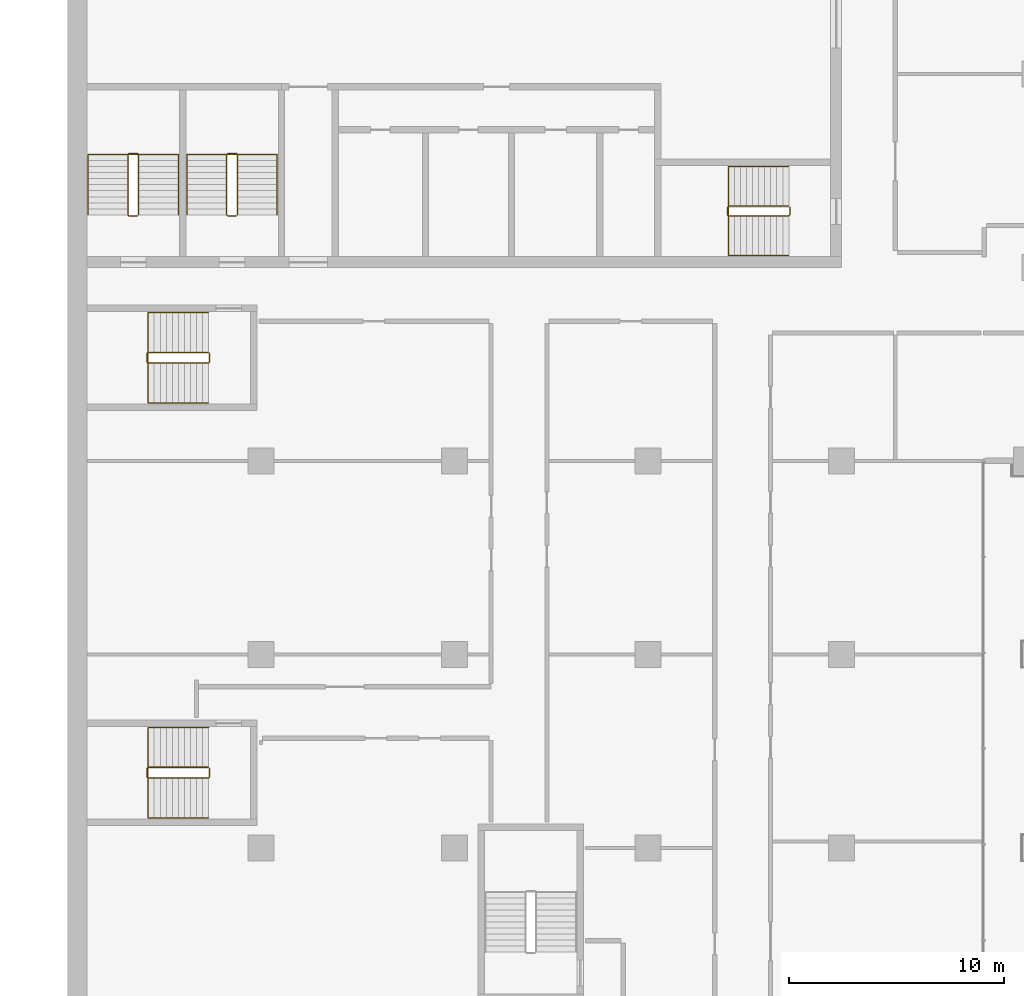
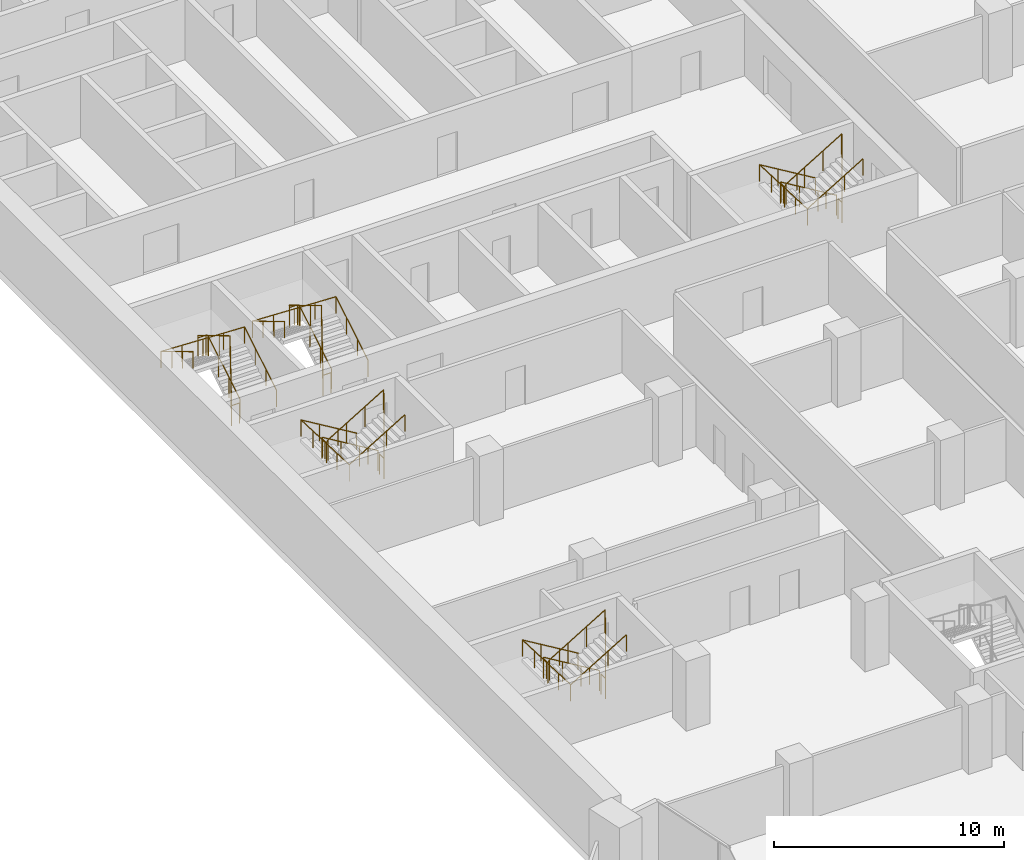
# One storey, part 21 of 23: 10 railings.
"""IFC4 building model written with IfcOpenShell, lengths in metres."""

from ifc_helpers import new_model, si_unit, direction, frame, origin, origin_2d, place, context, subcontext, project, spatial, circle, extrude, material, type_object, element, save


model = new_model("IFC4")

# Units and contexts
model_context = context("Model", 3, precision=1e-05, world=origin(), true_north=direction((0.0, 1.0)))
body_context = subcontext(model_context, "Body", "Model", "MODEL_VIEW")
ifc_project = project(units=[si_unit("LENGTHUNIT", "METRE"), si_unit("AREAUNIT", "SQUARE_METRE"), si_unit("VOLUMEUNIT", "CUBIC_METRE"), si_unit("PLANEANGLEUNIT", "RADIAN"), si_unit("MASSUNIT", "GRAM", prefix="KILO")], contexts=[model_context])

# Site, building, storey
site_placement = place(None, origin())
site = spatial("IfcSite", under=ifc_project, at=site_placement, CompositionType="ELEMENT")
building_placement = place(site_placement, origin())
building = spatial("IfcBuilding", under=site, at=building_placement, Name="Hunhe Ridgeline Campus", CompositionType="ELEMENT")
storey_placement = place(building_placement, frame((0.0, 0.0, 144.89990234375)))
storey = spatial("IfcBuildingStorey", under=building, at=storey_placement, Name="L36", CompositionType="ELEMENT", Elevation=144.89990234375)

# Railings
ifc_material_1 = material(Name="Stainless steel balustrade", Category="steel")
railing_type_1 = type_object("IfcRailingType", Name="Stair guard 1100 stainless", PredefinedType="GUARDRAIL", material=ifc_material_1)
railing_1_placement = place(storey_placement, frame((33.550048828125, 65.85009765625, 0.168212890625)))
element("IfcRailing", 1, at=railing_1_placement, inside=storey, type_object=railing_type_1, Name="L36 stair S2 guard", PredefinedType="GUARDRAIL", context=body_context, shape_type="SweptSolid", body=[
    extrude(circle(Radius=0.02392578125, at=origin_2d()), frame((0.0, 0.0, 1.076171875), z_axis=(-0.857242210791, 0.0, 0.514913383045), x_axis=(0.0, -1.0, 0.0)), (0.0, 0.0, 1.0), 3.266357421875),
    extrude(circle(Radius=0.02392578125, at=origin_2d()), frame((-2.800048828125, 0.0, 2.7578125), z_axis=(-0.707106781187, -0.707106781187, 0.0), x_axis=(0.707106781187, -0.707106781187, 0.0)), (0.0, 0.0, 1.0), 0.07080078125),
    extrude(circle(Radius=0.02392578125, at=origin_2d()), frame((-2.85009765625, -0.050048828125, 2.7578125), z_axis=(0.0, -1.0, 0.0), x_axis=(1.0, 0.0, 0.0)), (0.0, 0.0, 1.0), 0.35009765625),
    extrude(circle(Radius=0.02392578125, at=origin_2d()), frame((-2.85009765625, -0.400146484375, 2.7578125), z_axis=(0.274243871929, -0.274243871929, 0.92172696468), x_axis=(0.707106781187, 0.707106781187, 0.0)), (0.0, 0.0, 1.0), 0.1826171875),
    extrude(circle(Radius=0.02392578125, at=origin_2d()), frame((-2.800048828125, -0.4501953125, 2.92626953125), z_axis=(0.857242210791, 0.0, 0.514913383045), x_axis=(0.0, 1.0, 0.0)), (0.0, 0.0, 1.0), 3.266357421875),
    extrude(circle(Radius=0.02392578125, at=origin_2d()), frame((0.0, -0.4501953125, 4.60791015625), z_axis=(0.013523522368, 0.013523522368, -0.999817097616), x_axis=(-0.707106781187, 0.707106781187, 0.0)), (0.0, 0.0, 1.0), 3.700927734375),
    extrude(circle(Radius=0.02392578125, at=origin_2d()), frame((0.050048828125, -0.400146484375, 0.90771484375), z_axis=(0.0, 1.0, 0.0), x_axis=(-1.0, 0.0, 0.0)), (0.0, 0.0, 1.0), 0.35009765625),
    extrude(circle(Radius=0.02099609375, at=origin_2d()), origin(), (0.0, 0.0, 1.0), 1.052001953125),
    extrude(circle(Radius=0.02099609375, at=origin_2d()), frame((-0.933349609375, 0.0, 0.560546875)), (0.0, 0.0, 1.0), 1.052001953125),
    extrude(circle(Radius=0.02099609375, at=origin_2d()), frame((-1.86669921875, 0.0, 1.121337890625)), (0.0, 0.0, 1.0), 1.052001953125),
    extrude(circle(Radius=0.02099609375, at=origin_2d()), frame((-2.800048828125, 0.0, 1.681884765625)), (0.0, 0.0, 1.0), 1.052001953125),
    extrude(circle(Radius=0.02099609375, at=origin_2d()), frame((-2.85009765625, -0.050048828125, 1.681884765625)), (0.0, 0.0, 1.0), 1.052001953125),
    extrude(circle(Radius=0.02099609375, at=origin_2d()), frame((-2.85009765625, -0.400146484375, 1.681884765625)), (0.0, 0.0, 1.0), 1.052001953125),
    extrude(circle(Radius=0.02099609375, at=origin_2d()), frame((-2.800048828125, -0.4501953125, 1.85009765625)), (0.0, 0.0, 1.0), 1.052001953125),
    extrude(circle(Radius=0.02099609375, at=origin_2d()), frame((-1.86669921875, -0.4501953125, 2.41064453125)), (0.0, 0.0, 1.0), 1.052001953125),
    extrude(circle(Radius=0.02099609375, at=origin_2d()), frame((-0.933349609375, -0.4501953125, 2.971435546875)), (0.0, 0.0, 1.0), 1.052001953125),
    extrude(circle(Radius=0.02099609375, at=origin_2d()), frame((0.0, -0.4501953125, 3.531982421875)), (0.0, 0.0, 1.0), 1.052001953125),
    extrude(circle(Radius=0.02099609375, at=origin_2d()), frame((0.012451171875, -0.437744140625, 2.60693359375)), (0.0, 0.0, 1.0), 1.052001953125),
    extrude(circle(Radius=0.02099609375, at=origin_2d()), frame((0.02490234375, -0.42529296875, 1.681884765625)), (0.0, 0.0, 1.0), 1.052001953125),
    extrude(circle(Radius=0.02099609375, at=origin_2d()), frame((0.03759765625, -0.41259765625, 0.7568359375)), (0.0, 0.0, 1.0), 1.052001953125),
    extrude(circle(Radius=0.02099609375, at=origin_2d()), frame((0.050048828125, -0.400146484375, -0.168212890625)), (0.0, 0.0, 1.0), 1.052001953125),
    extrude(circle(Radius=0.02099609375, at=origin_2d()), frame((0.050048828125, -0.050048828125, -0.168212890625)), (0.0, 0.0, 1.0), 1.052001953125),
])
railing_2_placement = place(storey_placement, frame((3.300048828125, 65.449951171875, 0.168212890625)))
element("IfcRailing", 2, at=railing_2_placement, inside=storey, type_object=railing_type_1, Name="L36 stair S3 guard", PredefinedType="GUARDRAIL", context=body_context, shape_type="SweptSolid", body=[
    extrude(circle(Radius=0.02392578125, at=origin_2d()), frame((0.0, 0.0, 1.076171875), z_axis=(0.0, 0.857242210791, 0.514913383045), x_axis=(-1.0, 0.0, 0.0)), (0.0, 0.0, 1.0), 3.266357421875),
    extrude(circle(Radius=0.02392578125, at=origin_2d()), frame((0.0, 2.800048828125, 2.7578125), z_axis=(-0.707106781187, 0.707106781187, 0.0), x_axis=(-0.707106781187, -0.707106781187, 0.0)), (0.0, 0.0, 1.0), 0.07080078125),
    extrude(circle(Radius=0.02392578125, at=origin_2d()), frame((-0.050048828125, 2.85009765625, 2.7578125), z_axis=(-1.0, 0.0, 0.0), x_axis=(0.0, -1.0, 0.0)), (0.0, 0.0, 1.0), 0.39990234375),
    extrude(circle(Radius=0.02392578125, at=origin_2d()), frame((-0.449951171875, 2.85009765625, 2.7578125), z_axis=(-0.274243871929, -0.274243871929, 0.92172696468), x_axis=(0.707106781187, -0.707106781187, 0.0)), (0.0, 0.0, 1.0), 0.1826171875),
    extrude(circle(Radius=0.02392578125, at=origin_2d()), frame((-0.5, 2.800048828125, 2.92626953125), z_axis=(0.0, -0.857242210791, 0.514913383045), x_axis=(1.0, 0.0, 0.0)), (0.0, 0.0, 1.0), 3.266357421875),
    extrude(circle(Radius=0.02392578125, at=origin_2d()), frame((-0.5, 0.0, 4.60791015625), z_axis=(0.013523522368, -0.013523522368, -0.999817097616), x_axis=(0.707106781187, 0.707106781187, 0.0)), (0.0, 0.0, 1.0), 3.700927734375),
    extrude(circle(Radius=0.02392578125, at=origin_2d()), frame((-0.449951171875, -0.050048828125, 0.90771484375), z_axis=(1.0, 0.0, 0.0), x_axis=(0.0, 1.0, 0.0)), (0.0, 0.0, 1.0), 0.39990234375),
    extrude(circle(Radius=0.02099609375, at=origin_2d()), origin(), (0.0, 0.0, 1.0), 1.052001953125),
    extrude(circle(Radius=0.02099609375, at=origin_2d()), frame((0.0, 0.933349609375, 0.560546875)), (0.0, 0.0, 1.0), 1.052001953125),
    extrude(circle(Radius=0.02099609375, at=origin_2d()), frame((0.0, 1.86669921875, 1.121337890625)), (0.0, 0.0, 1.0), 1.052001953125),
    extrude(circle(Radius=0.02099609375, at=origin_2d()), frame((0.0, 2.800048828125, 1.681884765625)), (0.0, 0.0, 1.0), 1.052001953125),
    extrude(circle(Radius=0.02099609375, at=origin_2d()), frame((-0.050048828125, 2.85009765625, 1.681884765625)), (0.0, 0.0, 1.0), 1.052001953125),
    extrude(circle(Radius=0.02099609375, at=origin_2d()), frame((-0.449951171875, 2.85009765625, 1.681884765625)), (0.0, 0.0, 1.0), 1.052001953125),
    extrude(circle(Radius=0.02099609375, at=origin_2d()), frame((-0.5, 2.800048828125, 1.85009765625)), (0.0, 0.0, 1.0), 1.052001953125),
    extrude(circle(Radius=0.02099609375, at=origin_2d()), frame((-0.5, 1.86669921875, 2.41064453125)), (0.0, 0.0, 1.0), 1.052001953125),
    extrude(circle(Radius=0.02099609375, at=origin_2d()), frame((-0.5, 0.933349609375, 2.971435546875)), (0.0, 0.0, 1.0), 1.052001953125),
    extrude(circle(Radius=0.02099609375, at=origin_2d()), frame((-0.5, 0.0, 3.531982421875)), (0.0, 0.0, 1.0), 1.052001953125),
    extrude(circle(Radius=0.02099609375, at=origin_2d()), frame((-0.487548828125, -0.012451171875, 2.60693359375)), (0.0, 0.0, 1.0), 1.052001953125),
    extrude(circle(Radius=0.02099609375, at=origin_2d()), frame((-0.47509765625, -0.02490234375, 1.681884765625)), (0.0, 0.0, 1.0), 1.052001953125),
    extrude(circle(Radius=0.02099609375, at=origin_2d()), frame((-0.46240234375, -0.03759765625, 0.7568359375)), (0.0, 0.0, 1.0), 1.052001953125),
    extrude(circle(Radius=0.02099609375, at=origin_2d()), frame((-0.449951171875, -0.050048828125, -0.168212890625)), (0.0, 0.0, 1.0), 1.052001953125),
    extrude(circle(Radius=0.02099609375, at=origin_2d()), frame((-0.050048828125, -0.050048828125, -0.168212890625)), (0.0, 0.0, 1.0), 1.052001953125),
])
railing_3_placement = place(storey_placement, frame((7.89990234375, 65.449951171875, 0.168212890625)))
element("IfcRailing", 3, at=railing_3_placement, inside=storey, type_object=railing_type_1, Name="L36 stair S4 guard", PredefinedType="GUARDRAIL", context=body_context, shape_type="SweptSolid", body=[
    extrude(circle(Radius=0.02392578125, at=origin_2d()), frame((0.0, 0.0, 1.076171875), z_axis=(0.0, 0.857242210791, 0.514913383045), x_axis=(-1.0, 0.0, 0.0)), (0.0, 0.0, 1.0), 3.266357421875),
    extrude(circle(Radius=0.02392578125, at=origin_2d()), frame((0.0, 2.800048828125, 2.7578125), z_axis=(-0.705375805398, 0.708833529934, 0.0), x_axis=(-0.708833529934, -0.705375805398, 0.0)), (0.0, 0.0, 1.0), 0.070556640625),
    extrude(circle(Radius=0.02392578125, at=origin_2d()), frame((-0.0498046875, 2.85009765625, 2.7578125), z_axis=(-1.0, 0.0, 0.0), x_axis=(0.0, -1.0, 0.0)), (0.0, 0.0, 1.0), 0.400146484375),
    extrude(circle(Radius=0.02392578125, at=origin_2d()), frame((-0.449951171875, 2.85009765625, 2.7578125), z_axis=(-0.274243871929, -0.274243871929, 0.92172696468), x_axis=(0.707106781187, -0.707106781187, 0.0)), (0.0, 0.0, 1.0), 0.1826171875),
    extrude(circle(Radius=0.02392578125, at=origin_2d()), frame((-0.5, 2.800048828125, 2.92626953125), z_axis=(0.0, -0.857242210791, 0.514913383045), x_axis=(1.0, 0.0, 0.0)), (0.0, 0.0, 1.0), 3.266357421875),
    extrude(circle(Radius=0.02392578125, at=origin_2d()), frame((-0.5, 0.0, 4.60791015625), z_axis=(0.013523522368, -0.013523522368, -0.999817097616), x_axis=(0.707106781187, 0.707106781187, 0.0)), (0.0, 0.0, 1.0), 3.700927734375),
    extrude(circle(Radius=0.02392578125, at=origin_2d()), frame((-0.449951171875, -0.050048828125, 0.90771484375), z_axis=(1.0, 0.0, 0.0), x_axis=(0.0, 1.0, 0.0)), (0.0, 0.0, 1.0), 0.400146484375),
    extrude(circle(Radius=0.02099609375, at=origin_2d()), origin(), (0.0, 0.0, 1.0), 1.052001953125),
    extrude(circle(Radius=0.02099609375, at=origin_2d()), frame((0.0, 0.933349609375, 0.560546875)), (0.0, 0.0, 1.0), 1.052001953125),
    extrude(circle(Radius=0.02099609375, at=origin_2d()), frame((0.0, 1.86669921875, 1.121337890625)), (0.0, 0.0, 1.0), 1.052001953125),
    extrude(circle(Radius=0.02099609375, at=origin_2d()), frame((0.0, 2.800048828125, 1.681884765625)), (0.0, 0.0, 1.0), 1.052001953125),
    extrude(circle(Radius=0.02099609375, at=origin_2d()), frame((-0.0498046875, 2.85009765625, 1.681884765625)), (0.0, 0.0, 1.0), 1.052001953125),
    extrude(circle(Radius=0.02099609375, at=origin_2d()), frame((-0.449951171875, 2.85009765625, 1.681884765625)), (0.0, 0.0, 1.0), 1.052001953125),
    extrude(circle(Radius=0.02099609375, at=origin_2d()), frame((-0.5, 2.800048828125, 1.85009765625)), (0.0, 0.0, 1.0), 1.052001953125),
    extrude(circle(Radius=0.02099609375, at=origin_2d()), frame((-0.5, 1.86669921875, 2.41064453125)), (0.0, 0.0, 1.0), 1.052001953125),
    extrude(circle(Radius=0.02099609375, at=origin_2d()), frame((-0.5, 0.933349609375, 2.971435546875)), (0.0, 0.0, 1.0), 1.052001953125),
    extrude(circle(Radius=0.02099609375, at=origin_2d()), frame((-0.5, 0.0, 3.531982421875)), (0.0, 0.0, 1.0), 1.052001953125),
    extrude(circle(Radius=0.02099609375, at=origin_2d()), frame((-0.487548828125, -0.012451171875, 2.60693359375)), (0.0, 0.0, 1.0), 1.052001953125),
    extrude(circle(Radius=0.02099609375, at=origin_2d()), frame((-0.47509765625, -0.02490234375, 1.681884765625)), (0.0, 0.0, 1.0), 1.052001953125),
    extrude(circle(Radius=0.02099609375, at=origin_2d()), frame((-0.46240234375, -0.03759765625, 0.7568359375)), (0.0, 0.0, 1.0), 1.052001953125),
    extrude(circle(Radius=0.02099609375, at=origin_2d()), frame((-0.449951171875, -0.050048828125, -0.168212890625)), (0.0, 0.0, 1.0), 1.052001953125),
    extrude(circle(Radius=0.02099609375, at=origin_2d()), frame((-0.0498046875, -0.050048828125, -0.168212890625)), (0.0, 0.0, 1.0), 1.052001953125),
])
railing_4_placement = place(storey_placement, frame((6.550048828125, 39.75, 0.168212890625)))
element("IfcRailing", 4, at=railing_4_placement, inside=storey, type_object=railing_type_1, Name="L36 stair W1 guard", PredefinedType="GUARDRAIL", context=body_context, shape_type="SweptSolid", body=[
    extrude(circle(Radius=0.02392578125, at=origin_2d()), frame((0.0, 0.0, 1.076171875), z_axis=(-0.857242210791, 0.0, 0.514913383045), x_axis=(0.0, -1.0, 0.0)), (0.0, 0.0, 1.0), 3.266357421875),
    extrude(circle(Radius=0.02392578125, at=origin_2d()), frame((-2.800048828125, 0.0, 2.7578125), z_axis=(-0.707106781187, -0.707106781187, 0.0), x_axis=(0.707106781187, -0.707106781187, 0.0)), (0.0, 0.0, 1.0), 0.07080078125),
    extrude(circle(Radius=0.02392578125, at=origin_2d()), frame((-2.85009765625, -0.050048828125, 2.7578125), z_axis=(0.0, -1.0, 0.0), x_axis=(1.0, 0.0, 0.0)), (0.0, 0.0, 1.0), 0.39990234375),
    extrude(circle(Radius=0.02392578125, at=origin_2d()), frame((-2.85009765625, -0.449951171875, 2.7578125), z_axis=(0.274243871929, -0.274243871929, 0.92172696468), x_axis=(0.707106781187, 0.707106781187, 0.0)), (0.0, 0.0, 1.0), 0.1826171875),
    extrude(circle(Radius=0.02392578125, at=origin_2d()), frame((-2.800048828125, -0.5, 2.92626953125), z_axis=(0.857242210791, 0.0, 0.514913383045), x_axis=(0.0, 1.0, 0.0)), (0.0, 0.0, 1.0), 3.266357421875),
    extrude(circle(Radius=0.02392578125, at=origin_2d()), frame((0.0, -0.5, 4.60791015625), z_axis=(0.013523522368, 0.013523522368, -0.999817097616), x_axis=(-0.707106781187, 0.707106781187, 0.0)), (0.0, 0.0, 1.0), 3.700927734375),
    extrude(circle(Radius=0.02392578125, at=origin_2d()), frame((0.050048828125, -0.449951171875, 0.90771484375), z_axis=(0.0, 1.0, 0.0), x_axis=(-1.0, 0.0, 0.0)), (0.0, 0.0, 1.0), 0.39990234375),
    extrude(circle(Radius=0.02099609375, at=origin_2d()), origin(), (0.0, 0.0, 1.0), 1.052001953125),
    extrude(circle(Radius=0.02099609375, at=origin_2d()), frame((-0.933349609375, 0.0, 0.560546875)), (0.0, 0.0, 1.0), 1.052001953125),
    extrude(circle(Radius=0.02099609375, at=origin_2d()), frame((-1.86669921875, 0.0, 1.121337890625)), (0.0, 0.0, 1.0), 1.052001953125),
    extrude(circle(Radius=0.02099609375, at=origin_2d()), frame((-2.800048828125, 0.0, 1.681884765625)), (0.0, 0.0, 1.0), 1.052001953125),
    extrude(circle(Radius=0.02099609375, at=origin_2d()), frame((-2.85009765625, -0.050048828125, 1.681884765625)), (0.0, 0.0, 1.0), 1.052001953125),
    extrude(circle(Radius=0.02099609375, at=origin_2d()), frame((-2.85009765625, -0.449951171875, 1.681884765625)), (0.0, 0.0, 1.0), 1.052001953125),
    extrude(circle(Radius=0.02099609375, at=origin_2d()), frame((-2.800048828125, -0.5, 1.85009765625)), (0.0, 0.0, 1.0), 1.052001953125),
    extrude(circle(Radius=0.02099609375, at=origin_2d()), frame((-1.86669921875, -0.5, 2.41064453125)), (0.0, 0.0, 1.0), 1.052001953125),
    extrude(circle(Radius=0.02099609375, at=origin_2d()), frame((-0.933349609375, -0.5, 2.971435546875)), (0.0, 0.0, 1.0), 1.052001953125),
    extrude(circle(Radius=0.02099609375, at=origin_2d()), frame((0.0, -0.5, 3.531982421875)), (0.0, 0.0, 1.0), 1.052001953125),
    extrude(circle(Radius=0.02099609375, at=origin_2d()), frame((0.012451171875, -0.487548828125, 2.60693359375)), (0.0, 0.0, 1.0), 1.052001953125),
    extrude(circle(Radius=0.02099609375, at=origin_2d()), frame((0.02490234375, -0.47509765625, 1.681884765625)), (0.0, 0.0, 1.0), 1.052001953125),
    extrude(circle(Radius=0.02099609375, at=origin_2d()), frame((0.03759765625, -0.46240234375, 0.7568359375)), (0.0, 0.0, 1.0), 1.052001953125),
    extrude(circle(Radius=0.02099609375, at=origin_2d()), frame((0.050048828125, -0.449951171875, -0.168212890625)), (0.0, 0.0, 1.0), 1.052001953125),
    extrude(circle(Radius=0.02099609375, at=origin_2d()), frame((0.050048828125, -0.050048828125, -0.168212890625)), (0.0, 0.0, 1.0), 1.052001953125),
])
railing_5_placement = place(storey_placement, frame((6.550048828125, 59.050048828125, 0.168212890625)))
element("IfcRailing", 5, at=railing_5_placement, inside=storey, type_object=railing_type_1, Name="L36 stair W2 guard", PredefinedType="GUARDRAIL", context=body_context, shape_type="SweptSolid", body=[
    extrude(circle(Radius=0.02392578125, at=origin_2d()), frame((0.0, 0.0, 1.076171875), z_axis=(-0.857242210791, 0.0, 0.514913383045), x_axis=(0.0, -1.0, 0.0)), (0.0, 0.0, 1.0), 3.266357421875),
    extrude(circle(Radius=0.02392578125, at=origin_2d()), frame((-2.800048828125, 0.0, 2.7578125), z_axis=(-0.707106781187, -0.707106781187, 0.0), x_axis=(0.707106781187, -0.707106781187, 0.0)), (0.0, 0.0, 1.0), 0.07080078125),
    extrude(circle(Radius=0.02392578125, at=origin_2d()), frame((-2.85009765625, -0.050048828125, 2.7578125), z_axis=(0.0, -1.0, 0.0), x_axis=(1.0, 0.0, 0.0)), (0.0, 0.0, 1.0), 0.39990234375),
    extrude(circle(Radius=0.02392578125, at=origin_2d()), frame((-2.85009765625, -0.449951171875, 2.7578125), z_axis=(0.274243871929, -0.274243871929, 0.92172696468), x_axis=(0.707106781187, 0.707106781187, 0.0)), (0.0, 0.0, 1.0), 0.1826171875),
    extrude(circle(Radius=0.02392578125, at=origin_2d()), frame((-2.800048828125, -0.5, 2.92626953125), z_axis=(0.857242210791, 0.0, 0.514913383045), x_axis=(0.0, 1.0, 0.0)), (0.0, 0.0, 1.0), 3.266357421875),
    extrude(circle(Radius=0.02392578125, at=origin_2d()), frame((0.0, -0.5, 4.60791015625), z_axis=(0.013523522368, 0.013523522368, -0.999817097616), x_axis=(-0.707106781187, 0.707106781187, 0.0)), (0.0, 0.0, 1.0), 3.700927734375),
    extrude(circle(Radius=0.02392578125, at=origin_2d()), frame((0.050048828125, -0.449951171875, 0.90771484375), z_axis=(0.0, 1.0, 0.0), x_axis=(-1.0, 0.0, 0.0)), (0.0, 0.0, 1.0), 0.39990234375),
    extrude(circle(Radius=0.02099609375, at=origin_2d()), origin(), (0.0, 0.0, 1.0), 1.052001953125),
    extrude(circle(Radius=0.02099609375, at=origin_2d()), frame((-0.933349609375, 0.0, 0.560546875)), (0.0, 0.0, 1.0), 1.052001953125),
    extrude(circle(Radius=0.02099609375, at=origin_2d()), frame((-1.86669921875, 0.0, 1.121337890625)), (0.0, 0.0, 1.0), 1.052001953125),
    extrude(circle(Radius=0.02099609375, at=origin_2d()), frame((-2.800048828125, 0.0, 1.681884765625)), (0.0, 0.0, 1.0), 1.052001953125),
    extrude(circle(Radius=0.02099609375, at=origin_2d()), frame((-2.85009765625, -0.050048828125, 1.681884765625)), (0.0, 0.0, 1.0), 1.052001953125),
    extrude(circle(Radius=0.02099609375, at=origin_2d()), frame((-2.85009765625, -0.449951171875, 1.681884765625)), (0.0, 0.0, 1.0), 1.052001953125),
    extrude(circle(Radius=0.02099609375, at=origin_2d()), frame((-2.800048828125, -0.5, 1.85009765625)), (0.0, 0.0, 1.0), 1.052001953125),
    extrude(circle(Radius=0.02099609375, at=origin_2d()), frame((-1.86669921875, -0.5, 2.41064453125)), (0.0, 0.0, 1.0), 1.052001953125),
    extrude(circle(Radius=0.02099609375, at=origin_2d()), frame((-0.933349609375, -0.5, 2.971435546875)), (0.0, 0.0, 1.0), 1.052001953125),
    extrude(circle(Radius=0.02099609375, at=origin_2d()), frame((0.0, -0.5, 3.531982421875)), (0.0, 0.0, 1.0), 1.052001953125),
    extrude(circle(Radius=0.02099609375, at=origin_2d()), frame((0.012451171875, -0.487548828125, 2.60693359375)), (0.0, 0.0, 1.0), 1.052001953125),
    extrude(circle(Radius=0.02099609375, at=origin_2d()), frame((0.02490234375, -0.47509765625, 1.681884765625)), (0.0, 0.0, 1.0), 1.052001953125),
    extrude(circle(Radius=0.02099609375, at=origin_2d()), frame((0.03759765625, -0.46240234375, 0.7568359375)), (0.0, 0.0, 1.0), 1.052001953125),
    extrude(circle(Radius=0.02099609375, at=origin_2d()), frame((0.050048828125, -0.449951171875, -0.168212890625)), (0.0, 0.0, 1.0), 1.052001953125),
    extrude(circle(Radius=0.02099609375, at=origin_2d()), frame((0.050048828125, -0.050048828125, -0.168212890625)), (0.0, 0.0, 1.0), 1.052001953125),
])
ifc_material_2 = material(Name="Stainless steel handrail", Category="steel")
railing_type_2 = type_object("IfcRailingType", Name="Stair handrail 900 stainless", PredefinedType="HANDRAIL", material=ifc_material_2)
railing_6_placement = place(storey_placement, frame((33.550048828125, 67.699951171875, 0.168212890625)))
element("IfcRailing", 6, at=railing_6_placement, inside=storey, type_object=railing_type_2, Name="L36 stair S2 handrail", PredefinedType="HANDRAIL", context=body_context, shape_type="SweptSolid", body=[
    extrude(circle(Radius=0.02392578125, at=origin_2d()), frame((0.0, 0.0, 0.8759765625), z_axis=(-0.857242210791, 0.0, 0.514913383045), x_axis=(0.0, -1.0, 0.0)), (0.0, 0.0, 1.0), 3.266357421875),
    extrude(circle(Radius=0.02392578125, at=origin_2d()), frame((-2.800048828125, 0.0, 2.5576171875), z_axis=(0.0, -0.99917950104, 0.040500922239), x_axis=(1.0, 0.0, 0.0)), (0.0, 0.0, 1.0), 4.1533203125),
    extrude(circle(Radius=0.02392578125, at=origin_2d()), frame((-2.800048828125, -4.14990234375, 2.72607421875), z_axis=(0.857242210791, 0.0, 0.514913383045), x_axis=(0.0, 1.0, 0.0)), (0.0, 0.0, 1.0), 3.266357421875),
    extrude(circle(Radius=0.02099609375, at=origin_2d()), origin(), (0.0, 0.0, 1.0), 0.851806640625),
    extrude(circle(Radius=0.02099609375, at=origin_2d()), frame((-0.933349609375, 0.0, 0.560546875)), (0.0, 0.0, 1.0), 0.851806640625),
    extrude(circle(Radius=0.02099609375, at=origin_2d()), frame((-1.86669921875, 0.0, 1.121337890625)), (0.0, 0.0, 1.0), 0.851806640625),
    extrude(circle(Radius=0.02099609375, at=origin_2d()), frame((-2.800048828125, 0.0, 1.681884765625)), (0.0, 0.0, 1.0), 0.851806640625),
    extrude(circle(Radius=0.02099609375, at=origin_2d()), frame((-2.800048828125, -1.03759765625, 1.723876953125)), (0.0, 0.0, 1.0), 0.851806640625),
    extrude(circle(Radius=0.02099609375, at=origin_2d()), frame((-2.800048828125, -2.074951171875, 1.76611328125)), (0.0, 0.0, 1.0), 0.851806640625),
    extrude(circle(Radius=0.02099609375, at=origin_2d()), frame((-2.800048828125, -3.1123046875, 1.80810546875)), (0.0, 0.0, 1.0), 0.851806640625),
    extrude(circle(Radius=0.02099609375, at=origin_2d()), frame((-2.800048828125, -4.14990234375, 1.85009765625)), (0.0, 0.0, 1.0), 0.851806640625),
    extrude(circle(Radius=0.02099609375, at=origin_2d()), frame((-1.86669921875, -4.14990234375, 2.41064453125)), (0.0, 0.0, 1.0), 0.851806640625),
    extrude(circle(Radius=0.02099609375, at=origin_2d()), frame((-0.933349609375, -4.14990234375, 2.971435546875)), (0.0, 0.0, 1.0), 0.851806640625),
    extrude(circle(Radius=0.02099609375, at=origin_2d()), frame((0.0, -4.14990234375, 3.531982421875)), (0.0, 0.0, 1.0), 0.851806640625),
])
railing_7_placement = place(storey_placement, frame((5.14990234375, 65.449951171875, 0.168212890625)))
element("IfcRailing", 7, at=railing_7_placement, inside=storey, type_object=railing_type_2, Name="L36 stair S3 handrail", PredefinedType="HANDRAIL", context=body_context, shape_type="SweptSolid", body=[
    extrude(circle(Radius=0.02392578125, at=origin_2d()), frame((0.0, 0.0, 0.8759765625), z_axis=(0.0, 0.857242210791, 0.514913383045), x_axis=(-1.0, 0.0, 0.0)), (0.0, 0.0, 1.0), 3.266357421875),
    extrude(circle(Radius=0.02392578125, at=origin_2d()), frame((0.0, 2.800048828125, 2.5576171875), z_axis=(-0.999198916169, 0.0, 0.040019069537), x_axis=(0.0, -1.0, 0.0)), (0.0, 0.0, 1.0), 4.203369140625),
    extrude(circle(Radius=0.02392578125, at=origin_2d()), frame((-4.199951171875, 2.800048828125, 2.72607421875), z_axis=(0.0, -0.857242210791, 0.514913383045), x_axis=(1.0, 0.0, 0.0)), (0.0, 0.0, 1.0), 3.266357421875),
    extrude(circle(Radius=0.02099609375, at=origin_2d()), origin(), (0.0, 0.0, 1.0), 0.851806640625),
    extrude(circle(Radius=0.02099609375, at=origin_2d()), frame((0.0, 0.933349609375, 0.560546875)), (0.0, 0.0, 1.0), 0.851806640625),
    extrude(circle(Radius=0.02099609375, at=origin_2d()), frame((0.0, 1.86669921875, 1.121337890625)), (0.0, 0.0, 1.0), 0.851806640625),
    extrude(circle(Radius=0.02099609375, at=origin_2d()), frame((0.0, 2.800048828125, 1.681884765625)), (0.0, 0.0, 1.0), 0.851806640625),
    extrude(circle(Radius=0.02099609375, at=origin_2d()), frame((-1.050048828125, 2.800048828125, 1.723876953125)), (0.0, 0.0, 1.0), 0.851806640625),
    extrude(circle(Radius=0.02099609375, at=origin_2d()), frame((-2.10009765625, 2.800048828125, 1.76611328125)), (0.0, 0.0, 1.0), 0.851806640625),
    extrude(circle(Radius=0.02099609375, at=origin_2d()), frame((-3.14990234375, 2.800048828125, 1.80810546875)), (0.0, 0.0, 1.0), 0.851806640625),
    extrude(circle(Radius=0.02099609375, at=origin_2d()), frame((-4.199951171875, 2.800048828125, 1.85009765625)), (0.0, 0.0, 1.0), 0.851806640625),
    extrude(circle(Radius=0.02099609375, at=origin_2d()), frame((-4.199951171875, 1.86669921875, 2.41064453125)), (0.0, 0.0, 1.0), 0.851806640625),
    extrude(circle(Radius=0.02099609375, at=origin_2d()), frame((-4.199951171875, 0.933349609375, 2.971435546875)), (0.0, 0.0, 1.0), 0.851806640625),
    extrude(circle(Radius=0.02099609375, at=origin_2d()), frame((-4.199951171875, 0.0, 3.531982421875)), (0.0, 0.0, 1.0), 0.851806640625),
])
railing_8_placement = place(storey_placement, frame((9.75, 65.449951171875, 0.168212890625)))
element("IfcRailing", 8, at=railing_8_placement, inside=storey, type_object=railing_type_2, Name="L36 stair S4 handrail", PredefinedType="HANDRAIL", context=body_context, shape_type="SweptSolid", body=[
    extrude(circle(Radius=0.02392578125, at=origin_2d()), frame((0.0, 0.0, 0.8759765625), z_axis=(0.0, 0.857242210791, 0.514913383045), x_axis=(-1.0, 0.0, 0.0)), (0.0, 0.0, 1.0), 3.266357421875),
    extrude(circle(Radius=0.02392578125, at=origin_2d()), frame((0.0, 2.800048828125, 2.5576171875), z_axis=(-0.999198916169, 0.0, 0.040019069537), x_axis=(0.0, -1.0, 0.0)), (0.0, 0.0, 1.0), 4.203369140625),
    extrude(circle(Radius=0.02392578125, at=origin_2d()), frame((-4.199951171875, 2.800048828125, 2.72607421875), z_axis=(0.0, -0.857242210791, 0.514913383045), x_axis=(1.0, 0.0, 0.0)), (0.0, 0.0, 1.0), 3.266357421875),
    extrude(circle(Radius=0.02099609375, at=origin_2d()), origin(), (0.0, 0.0, 1.0), 0.851806640625),
    extrude(circle(Radius=0.02099609375, at=origin_2d()), frame((0.0, 0.933349609375, 0.560546875)), (0.0, 0.0, 1.0), 0.851806640625),
    extrude(circle(Radius=0.02099609375, at=origin_2d()), frame((0.0, 1.86669921875, 1.121337890625)), (0.0, 0.0, 1.0), 0.851806640625),
    extrude(circle(Radius=0.02099609375, at=origin_2d()), frame((0.0, 2.800048828125, 1.681884765625)), (0.0, 0.0, 1.0), 0.851806640625),
    extrude(circle(Radius=0.02099609375, at=origin_2d()), frame((-1.050048828125, 2.800048828125, 1.723876953125)), (0.0, 0.0, 1.0), 0.851806640625),
    extrude(circle(Radius=0.02099609375, at=origin_2d()), frame((-2.10009765625, 2.800048828125, 1.76611328125)), (0.0, 0.0, 1.0), 0.851806640625),
    extrude(circle(Radius=0.02099609375, at=origin_2d()), frame((-3.14990234375, 2.800048828125, 1.80810546875)), (0.0, 0.0, 1.0), 0.851806640625),
    extrude(circle(Radius=0.02099609375, at=origin_2d()), frame((-4.199951171875, 2.800048828125, 1.85009765625)), (0.0, 0.0, 1.0), 0.851806640625),
    extrude(circle(Radius=0.02099609375, at=origin_2d()), frame((-4.199951171875, 1.86669921875, 2.41064453125)), (0.0, 0.0, 1.0), 0.851806640625),
    extrude(circle(Radius=0.02099609375, at=origin_2d()), frame((-4.199951171875, 0.933349609375, 2.971435546875)), (0.0, 0.0, 1.0), 0.851806640625),
    extrude(circle(Radius=0.02099609375, at=origin_2d()), frame((-4.199951171875, 0.0, 3.531982421875)), (0.0, 0.0, 1.0), 0.851806640625),
])
railing_9_placement = place(storey_placement, frame((6.550048828125, 41.60009765625, 0.168212890625)))
element("IfcRailing", 9, at=railing_9_placement, inside=storey, type_object=railing_type_2, Name="L36 stair W1 handrail", PredefinedType="HANDRAIL", context=body_context, shape_type="SweptSolid", body=[
    extrude(circle(Radius=0.02392578125, at=origin_2d()), frame((0.0, 0.0, 0.8759765625), z_axis=(-0.857242210791, 0.0, 0.514913383045), x_axis=(0.0, -1.0, 0.0)), (0.0, 0.0, 1.0), 3.266357421875),
    extrude(circle(Radius=0.02392578125, at=origin_2d()), frame((-2.800048828125, 0.0, 2.5576171875), z_axis=(0.0, -0.999199009182, 0.040016747113), x_axis=(1.0, 0.0, 0.0)), (0.0, 0.0, 1.0), 4.20361328125),
    extrude(circle(Radius=0.02392578125, at=origin_2d()), frame((-2.800048828125, -4.2001953125, 2.72607421875), z_axis=(0.857242210791, 0.0, 0.514913383045), x_axis=(0.0, 1.0, 0.0)), (0.0, 0.0, 1.0), 3.266357421875),
    extrude(circle(Radius=0.02099609375, at=origin_2d()), origin(), (0.0, 0.0, 1.0), 0.851806640625),
    extrude(circle(Radius=0.02099609375, at=origin_2d()), frame((-0.933349609375, 0.0, 0.560546875)), (0.0, 0.0, 1.0), 0.851806640625),
    extrude(circle(Radius=0.02099609375, at=origin_2d()), frame((-1.86669921875, 0.0, 1.121337890625)), (0.0, 0.0, 1.0), 0.851806640625),
    extrude(circle(Radius=0.02099609375, at=origin_2d()), frame((-2.800048828125, 0.0, 1.681884765625)), (0.0, 0.0, 1.0), 0.851806640625),
    extrude(circle(Radius=0.02099609375, at=origin_2d()), frame((-2.800048828125, -1.050048828125, 1.723876953125)), (0.0, 0.0, 1.0), 0.851806640625),
    extrude(circle(Radius=0.02099609375, at=origin_2d()), frame((-2.800048828125, -2.10009765625, 1.76611328125)), (0.0, 0.0, 1.0), 0.851806640625),
    extrude(circle(Radius=0.02099609375, at=origin_2d()), frame((-2.800048828125, -3.150146484375, 1.80810546875)), (0.0, 0.0, 1.0), 0.851806640625),
    extrude(circle(Radius=0.02099609375, at=origin_2d()), frame((-2.800048828125, -4.2001953125, 1.85009765625)), (0.0, 0.0, 1.0), 0.851806640625),
    extrude(circle(Radius=0.02099609375, at=origin_2d()), frame((-1.86669921875, -4.2001953125, 2.41064453125)), (0.0, 0.0, 1.0), 0.851806640625),
    extrude(circle(Radius=0.02099609375, at=origin_2d()), frame((-0.933349609375, -4.2001953125, 2.971435546875)), (0.0, 0.0, 1.0), 0.851806640625),
    extrude(circle(Radius=0.02099609375, at=origin_2d()), frame((0.0, -4.2001953125, 3.531982421875)), (0.0, 0.0, 1.0), 0.851806640625),
])
railing_10_placement = place(storey_placement, frame((6.550048828125, 60.89990234375, 0.168212890625)))
element("IfcRailing", 10, at=railing_10_placement, inside=storey, type_object=railing_type_2, Name="L36 stair W2 handrail", PredefinedType="HANDRAIL", context=body_context, shape_type="SweptSolid", body=[
    extrude(circle(Radius=0.02392578125, at=origin_2d()), frame((0.0, 0.0, 0.8759765625), z_axis=(-0.857242210791, 0.0, 0.514913383045), x_axis=(0.0, -1.0, 0.0)), (0.0, 0.0, 1.0), 3.266357421875),
    extrude(circle(Radius=0.02392578125, at=origin_2d()), frame((-2.800048828125, 0.0, 2.5576171875), z_axis=(0.0, -0.999198916169, 0.040019069537), x_axis=(1.0, 0.0, 0.0)), (0.0, 0.0, 1.0), 4.203369140625),
    extrude(circle(Radius=0.02392578125, at=origin_2d()), frame((-2.800048828125, -4.199951171875, 2.72607421875), z_axis=(0.857242210791, 0.0, 0.514913383045), x_axis=(0.0, 1.0, 0.0)), (0.0, 0.0, 1.0), 3.266357421875),
    extrude(circle(Radius=0.02099609375, at=origin_2d()), origin(), (0.0, 0.0, 1.0), 0.851806640625),
    extrude(circle(Radius=0.02099609375, at=origin_2d()), frame((-0.933349609375, 0.0, 0.560546875)), (0.0, 0.0, 1.0), 0.851806640625),
    extrude(circle(Radius=0.02099609375, at=origin_2d()), frame((-1.86669921875, 0.0, 1.121337890625)), (0.0, 0.0, 1.0), 0.851806640625),
    extrude(circle(Radius=0.02099609375, at=origin_2d()), frame((-2.800048828125, 0.0, 1.681884765625)), (0.0, 0.0, 1.0), 0.851806640625),
    extrude(circle(Radius=0.02099609375, at=origin_2d()), frame((-2.800048828125, -1.050048828125, 1.723876953125)), (0.0, 0.0, 1.0), 0.851806640625),
    extrude(circle(Radius=0.02099609375, at=origin_2d()), frame((-2.800048828125, -2.10009765625, 1.76611328125)), (0.0, 0.0, 1.0), 0.851806640625),
    extrude(circle(Radius=0.02099609375, at=origin_2d()), frame((-2.800048828125, -3.14990234375, 1.80810546875)), (0.0, 0.0, 1.0), 0.851806640625),
    extrude(circle(Radius=0.02099609375, at=origin_2d()), frame((-2.800048828125, -4.199951171875, 1.85009765625)), (0.0, 0.0, 1.0), 0.851806640625),
    extrude(circle(Radius=0.02099609375, at=origin_2d()), frame((-1.86669921875, -4.199951171875, 2.41064453125)), (0.0, 0.0, 1.0), 0.851806640625),
    extrude(circle(Radius=0.02099609375, at=origin_2d()), frame((-0.933349609375, -4.199951171875, 2.971435546875)), (0.0, 0.0, 1.0), 0.851806640625),
    extrude(circle(Radius=0.02099609375, at=origin_2d()), frame((0.0, -4.199951171875, 3.531982421875)), (0.0, 0.0, 1.0), 0.851806640625),
])

save(model, "model.ifc")
